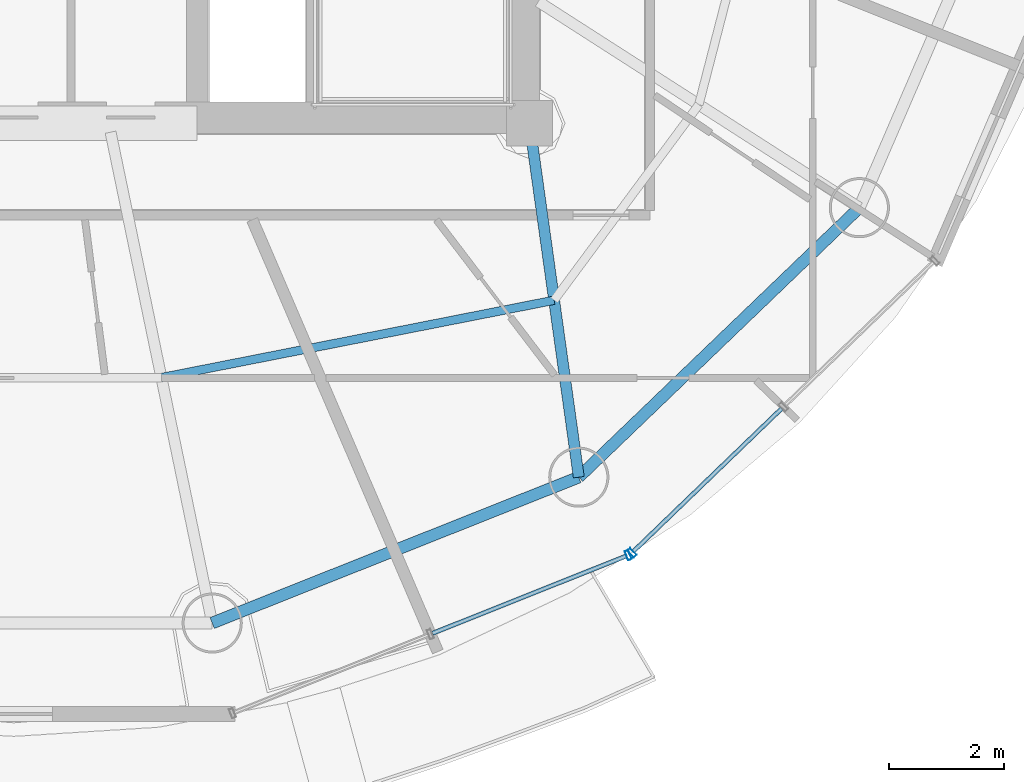
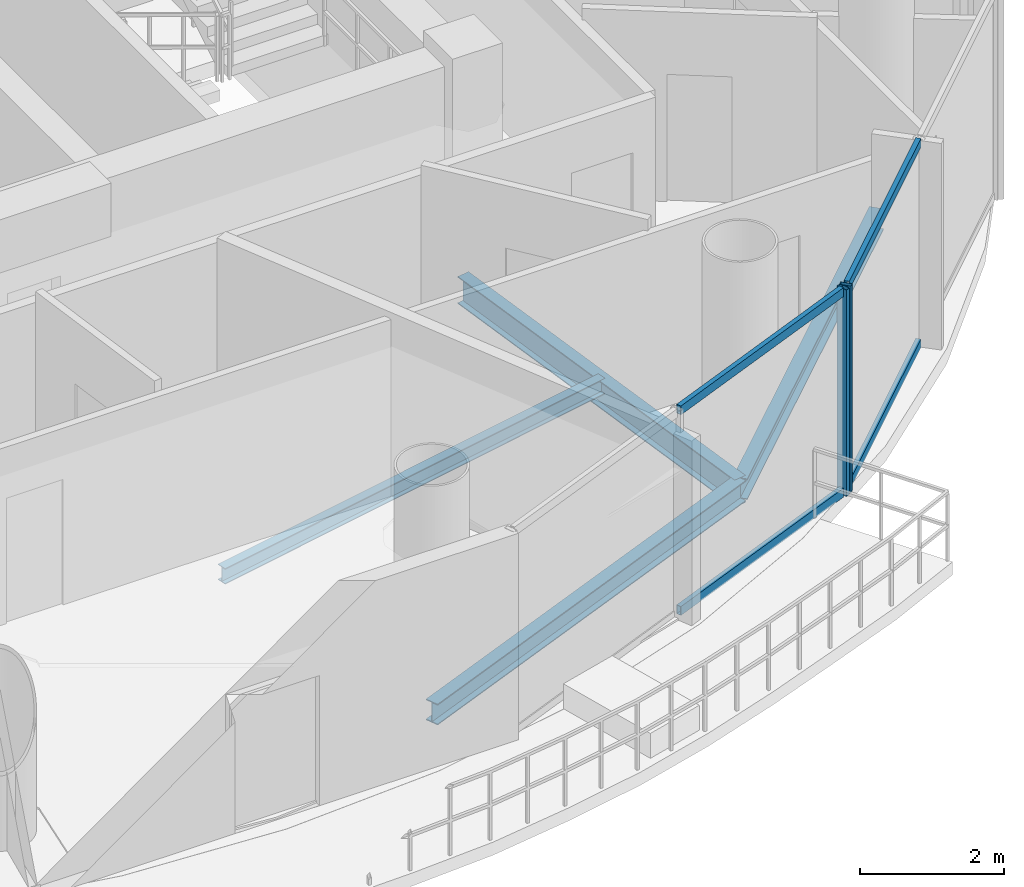
# One storey, part 6 of 24: 6 members, 4 beams, 2 elements without a shape of their own.
"""IFC4 building model written with IfcOpenShell, lengths in metres."""

from ifc_helpers import new_model, si_unit, direction, frame, origin, origin_2d, place, context, subcontext, project, spatial, hollow_rectangle, i_section, extrude, source, transform, mapped, material, material_profile, profile_set, type_object, element, aggregate, save


model = new_model("IFC4")

# Units and contexts
model_context = context("Model", 3, precision=1e-05, world=origin(), true_north=direction((-0.2419218956, 0.970295726276)))
body_context = subcontext(model_context, "Body", "Model", "MODEL_VIEW")
ifc_project = project(units=[si_unit("LENGTHUNIT", "METRE"), si_unit("AREAUNIT", "SQUARE_METRE"), si_unit("VOLUMEUNIT", "CUBIC_METRE"), si_unit("PLANEANGLEUNIT", "RADIAN"), si_unit("MASSUNIT", "GRAM", prefix="KILO")], contexts=[model_context])

# Site, building, storey
site_placement = place(None, origin())
site = spatial("IfcSite", under=ifc_project, at=site_placement, CompositionType="ELEMENT")
building_placement = place(site_placement, origin())
building = spatial("IfcBuilding", under=site, at=building_placement, Name="Cobrevalo Terracotta Tower", CompositionType="ELEMENT")
storey_placement = place(building_placement, frame((0.0, 0.0, 270.699951171875)))
storey = spatial("IfcBuildingStorey", under=building, at=storey_placement, Name="L71", CompositionType="ELEMENT", Elevation=270.699951171875)

# Beams
ifc_material_1 = material(Name="Steel S355", Category="steel")
ifc_material_profile_1 = material_profile(ifc_material_1, i_section(OverallWidth=0.19091796875, OverallDepth=0.4599609375, WebThickness=0.010009765625, FlangeThickness=0.01611328125, at=origin_2d()), Name="W 460x82")
ifc_profile_set_1 = profile_set([ifc_material_profile_1], Name="Steel S355")
beam_type_1 = type_object("IfcBeamType", Name="Structural Beam W 460x82 (Steel S355)", PredefinedType="BEAM", material=ifc_profile_set_1)
beam_1_placement = place(storey_placement, frame((47.861328125, 12.62353515625, -0.489990234375), z_axis=(-0.138115657759, 0.990416107039, 0.0), x_axis=(-0.990416107039, -0.138115657759, 0.0)))
element("IfcBeam", 1, at=beam_1_placement, inside=storey, type_object=beam_type_1, Name="L71 radial floor girder 14", PredefinedType="BEAM", context=body_context, shape_type="SweptSolid", body=[
    extrude(i_section(OverallWidth=0.19091796875, OverallDepth=0.4599609375, WebThickness=0.010009765625, FlangeThickness=0.01611328125, at=origin_2d()), origin(), (0.0, 0.0, 1.0), 6.236328125),
])
ifc_material_profile_2 = material_profile(ifc_material_1, i_section(OverallWidth=0.14794921875, OverallDepth=0.26611328125, WebThickness=0.007568359375, FlangeThickness=0.012939453125, at=origin_2d()), Name="W 250x44.8")
ifc_profile_set_2 = profile_set([ifc_material_profile_2], Name="Steel S355")
beam_type_2 = type_object("IfcBeamType", Name="Structural Joist W 250x44.8 (Steel S355)", PredefinedType="JOIST", material=ifc_profile_set_2)
beam_2_placement = place(storey_placement, frame((40.57568359375, 14.361328125, -0.39306640625), z_axis=(0.981145060421, 0.193272787563, 0.0), x_axis=(-0.193272787563, 0.981145060421, 0.0)))
element("IfcBeam", 2, at=beam_2_placement, inside=storey, type_object=beam_type_2, Name="L71 circumferential secondary floor joist 13", PredefinedType="JOIST", context=body_context, shape_type="SweptSolid", body=[
    extrude(i_section(OverallWidth=0.14794921875, OverallDepth=0.26611328125, WebThickness=0.007568359375, FlangeThickness=0.012939453125, at=origin_2d()), origin(), (0.0, 0.0, 1.0), 6.98681640625),
])
ifc_material_profile_3 = material_profile(ifc_material_1, i_section(OverallWidth=0.205078125, OverallDepth=0.35400390625, WebThickness=0.009521484375, FlangeThickness=0.016845703125, at=origin_2d()), Name="W 360x79")
ifc_profile_set_3 = profile_set([ifc_material_profile_3], Name="Steel S355")
beam_type_3 = type_object("IfcBeamType", Name="Structural Spandrel W 360x79 (Steel S355)", PredefinedType="SPANDREL", material=ifc_profile_set_3)
beam_3_placement = place(storey_placement, frame((41.462890625, 10.07763671875, -0.43701171875), z_axis=(0.929149986048, 0.369702993533, 0.0), x_axis=(-0.369702993533, 0.929149986048, 0.0)))
element("IfcBeam", 3, at=beam_3_placement, inside=storey, type_object=beam_type_3, Name="L71 perimeter ring spandrel 13", PredefinedType="SPANDREL", context=body_context, shape_type="SweptSolid", body=[
    extrude(i_section(OverallWidth=0.205078125, OverallDepth=0.35400390625, WebThickness=0.009521484375, FlangeThickness=0.016845703125, at=origin_2d()), origin(), (0.0, 0.0, 1.0), 6.88623046875),
])
beam_4_placement = place(storey_placement, frame((47.861328125, 12.62353515625, -0.43701171875), z_axis=(0.721183246144, 0.692744343522, 0.0), x_axis=(-0.692744343522, 0.721183246144, 0.0)))
element("IfcBeam", 4, at=beam_4_placement, inside=storey, type_object=beam_type_3, Name="L71 perimeter ring spandrel 14", PredefinedType="SPANDREL", context=body_context, shape_type="SweptSolid", body=[
    extrude(i_section(OverallWidth=0.205078125, OverallDepth=0.35400390625, WebThickness=0.009521484375, FlangeThickness=0.016845703125, at=origin_2d()), origin(), (0.0, 0.0, 1.0), 6.79052734375),
])

# Curtain wall, member
ifc_material_2 = material(Name="Anodized aluminium", Category="aluminium")
curtain_wall_type = type_object("IfcCurtainWallType", Name="Upper-tower triple-glazed penthouse curtain wall CW-U3", PredefinedType="NOTDEFINED", material=ifc_material_2)
curtain_wall_1_placement = place(storey_placement, origin())
curtain_wall_1 = element("IfcCurtainWall", 5, at=curtain_wall_1_placement, inside=storey, type_object=curtain_wall_type, Name="L71 curtain wall CW-L71-S13", PredefinedType="NOTDEFINED")
ifc_material_profile_4 = material_profile(ifc_material_2, hollow_rectangle(XDim=0.070068359375, YDim=0.169921875, WallThickness=0.00439453125, at=origin_2d()), Name="CWM 70x170")
ifc_profile_set_4 = profile_set([ifc_material_profile_4], Name="Anodized aluminium")
member_type_1 = type_object("IfcMemberType", Name="Upper tower unitised mullion 70x170", PredefinedType="MULLION", material=ifc_profile_set_4)
shared_shape_1 = source(origin(), body_context, "Body", "SweptSolid", [
    extrude(hollow_rectangle(XDim=0.070068359375, YDim=0.169921875, WallThickness=0.00439453125, at=origin_2d()), origin(), (0.0, 0.0, 1.0), 3.489990234375),
])
member_1_placement = place(storey_placement, frame((48.724365234375, 11.26171875, 0.0), z_axis=(0.0, 0.0, 1.0), x_axis=(0.928718980883, 0.370784377433, 0.0)))
member_1 = element("IfcMember", 6, at=member_1_placement, type_object=member_type_1, Name="CW-L71-S13 vertical mullion 03", PredefinedType="MULLION", context=body_context, shape_type="MappedRepresentation", body=[
    mapped(shared_shape_1, transform((0.0, 0.0, 0.0), scale=1.0)),
])

# Curtain wall, members
curtain_wall_2_placement = place(storey_placement, origin())
curtain_wall_2 = element("IfcCurtainWall", 7, at=curtain_wall_2_placement, inside=storey, type_object=curtain_wall_type, Name="L71 curtain wall CW-L71-S14", PredefinedType="NOTDEFINED")
member_2_placement = place(storey_placement, frame((48.790283203125, 11.30419921875, 0.0), z_axis=(0.0, 0.0, 1.0), x_axis=(0.71999418085, 0.69398010025, 0.0)))
member_2 = element("IfcMember", 8, at=member_2_placement, type_object=member_type_1, Name="CW-L71-S14 vertical mullion 01", PredefinedType="MULLION", context=body_context, shape_type="MappedRepresentation", body=[
    mapped(shared_shape_1, transform((0.0, 0.0, 0.0), scale=1.0)),
])
ifc_material_profile_5 = material_profile(ifc_material_2, hollow_rectangle(XDim=0.074951171875, YDim=0.14990234375, WallThickness=0.00439453125, at=origin_2d()), Name="CWT 75x150")
ifc_profile_set_5 = profile_set([ifc_material_profile_5], Name="Anodized aluminium")
member_type_2 = type_object("IfcMemberType", Name="Tower unitised aluminium transom 75x150", PredefinedType="USERDEFINED", material=ifc_profile_set_5)
shared_shape_2 = source(origin(), body_context, "Body", "SweptSolid", [
    extrude(hollow_rectangle(XDim=0.074951171875, YDim=0.14990234375, WallThickness=0.00439453125, at=origin_2d()), origin(), (0.0, 0.0, 1.0), 3.59130859375),
])
member_3_placement = place(storey_placement, frame((48.819091796875, 11.33203125, 0.050048828125), z_axis=(0.720005628362, 0.693968223427, 0.0), x_axis=(-0.693968223427, 0.720005628362, 0.0)))
member_3 = element("IfcMember", 9, at=member_3_placement, type_object=member_type_2, Name="CW-L71-S14 transom B01-T1", ObjectType="TRANSOM", PredefinedType="USERDEFINED", context=body_context, shape_type="MappedRepresentation", body=[
    mapped(shared_shape_2, transform((0.0, 0.0, 0.0), scale=1.0)),
])
member_4_placement = place(storey_placement, frame((48.819091796875, 11.33203125, 3.43994140625), z_axis=(0.720005628362, 0.693968223427, 0.0), x_axis=(-0.693968223427, 0.720005628362, 0.0)))
member_4 = element("IfcMember", 10, at=member_4_placement, type_object=member_type_2, Name="CW-L71-S14 transom B01-T2", ObjectType="TRANSOM", PredefinedType="USERDEFINED", context=body_context, shape_type="MappedRepresentation", body=[
    mapped(shared_shape_2, transform((0.0, 0.0, 0.0), scale=1.0)),
])
aggregate(curtain_wall_2, [member_2, member_3, member_4])

# Member
shared_shape_3 = source(origin(), body_context, "Body", "SweptSolid", [
    extrude(hollow_rectangle(XDim=0.074951171875, YDim=0.14990234375, WallThickness=0.00439453125, at=origin_2d()), origin(), (0.0, 0.0, 1.0), 3.63916015625),
])
member_5_placement = place(storey_placement, frame((45.307373046875, 9.8974609375, 0.050048828125), z_axis=(0.928712471544, 0.370800681227, 0.0), x_axis=(-0.370800681227, 0.928712471544, 0.0)))
member_5 = element("IfcMember", 11, at=member_5_placement, type_object=member_type_2, Name="CW-L71-S13 transom B02-T1", ObjectType="TRANSOM", PredefinedType="USERDEFINED", context=body_context, shape_type="MappedRepresentation", body=[
    mapped(shared_shape_3, transform((0.0, 0.0, 0.0), scale=1.0)),
])

member_6_placement = place(storey_placement, frame((45.307373046875, 9.8974609375, 3.43994140625), z_axis=(0.928712471544, 0.370800681227, 0.0), x_axis=(-0.370800681227, 0.928712471544, 0.0)))
member_6 = element("IfcMember", 12, at=member_6_placement, type_object=member_type_2, Name="CW-L71-S13 transom B02-T2", ObjectType="TRANSOM", PredefinedType="USERDEFINED", context=body_context, shape_type="MappedRepresentation", body=[
    mapped(shared_shape_3, transform((0.0, 0.0, 0.0), scale=1.0)),
])

aggregate(curtain_wall_1, [member_1, member_5, member_6])

save(model, "model.ifc")
